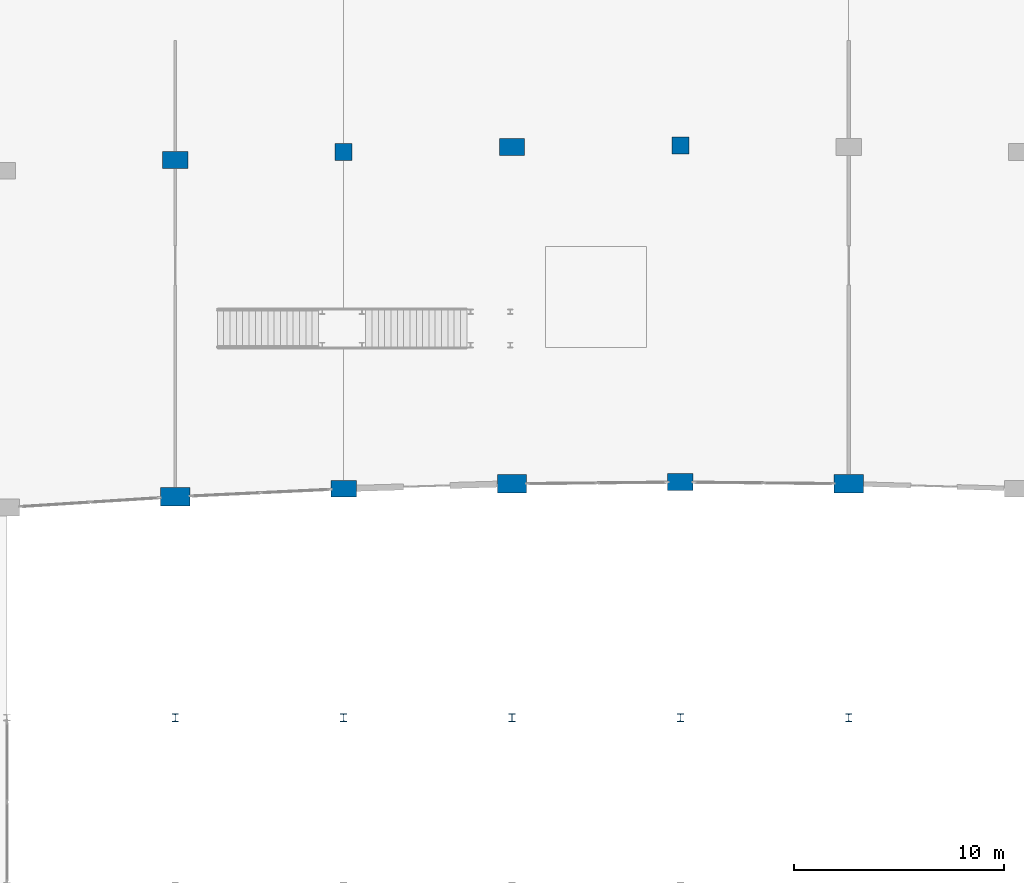
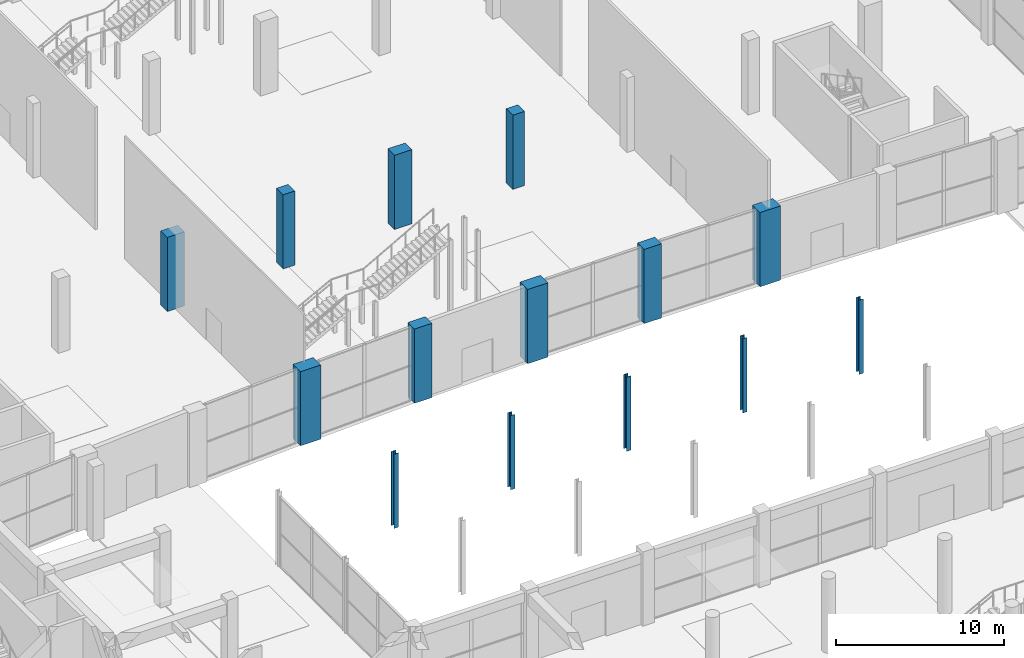
# One storey, part 12 of 86: 14 columns.
"""IFC4 building model written with IfcOpenShell, lengths in metres."""

from ifc_helpers import new_model, si_unit, direction, frame, origin, origin_2d, place, context, subcontext, project, spatial, rectangle, i_section, extrude, material, material_profile, profile_set, type_object, element, save


model = new_model("IFC4")

# Units and contexts
model_context = context("Model", 3, precision=1e-05, world=origin(), true_north=direction((0.0, 1.0)))
body_context = subcontext(model_context, "Body", "Model", "MODEL_VIEW")
ifc_project = project(units=[si_unit("LENGTHUNIT", "METRE"), si_unit("AREAUNIT", "SQUARE_METRE"), si_unit("VOLUMEUNIT", "CUBIC_METRE"), si_unit("PLANEANGLEUNIT", "RADIAN"), si_unit("MASSUNIT", "GRAM", prefix="KILO")], contexts=[model_context])

# Site, building, storey
site_placement = place(None, origin())
site = spatial("IfcSite", under=ifc_project, at=site_placement, CompositionType="ELEMENT")
building_placement = place(site_placement, origin())
building = spatial("IfcBuilding", under=site, at=building_placement, Name="Kenh Van Central Station", CompositionType="ELEMENT")
storey_placement = place(building_placement, origin())
storey = spatial("IfcBuildingStorey", under=building, at=storey_placement, Name="L00", CompositionType="ELEMENT", Elevation=0.0)

# Columns
ifc_material_1 = material(Name="Concrete C40/50", Category="concrete")
ifc_material_profile_1 = material_profile(ifc_material_1, rectangle(XDim=1.199951171875, YDim=0.800048828125, at=origin_2d()), Name="RC 1200x800")
ifc_profile_set_1 = profile_set([ifc_material_profile_1], Name="Concrete C40/50")
column_type_1 = type_object("IfcColumnType", Name="COL-PIER-1200x800", PredefinedType="COLUMN", material=ifc_profile_set_1)
for number, where, z_axis, x_axis, name in (
    (1, (64.0, 82.501953125, 0.0), (0.0, 0.0, 1.0), (1.0, 0.0, 0.0), "L00 column VP-04-1"),
    (2, (72.0, 66.883056640625, 0.0), (0.0, 0.0, 1.0), (1.0, 0.0, 0.0), "L00 column VPI-05-0"),
    (3, (80.0, 83.119873046875, 0.0), (0.0, 0.0, 1.0), (1.0, 0.0, 0.0), "L00 column VP-06-1"),
    (4, (88.0, 67.199951171875, 0.0), (0.0, 0.0, 1.0), (1.0, 0.0, 0.0), "L00 column VPI-07-0"),
):
    element("IfcColumn", number, at=place(storey_placement, frame(where, z_axis=z_axis, x_axis=x_axis)), inside=storey, type_object=column_type_1, Name=name, PredefinedType="COLUMN", context=body_context, shape_type="SweptSolid", body=[
        extrude(rectangle(XDim=1.199951171875, YDim=0.800048828125, at=origin_2d()), origin(), (0.0, 0.0, 1.0), 5.39990234375),
    ])
ifc_material_profile_2 = material_profile(ifc_material_1, rectangle(XDim=1.39990234375, YDim=0.89990234375, at=origin_2d()), Name="RC 1400x900")
ifc_profile_set_2 = profile_set([ifc_material_profile_2], Name="Concrete C40/50")
column_type_2 = type_object("IfcColumnType", Name="COL-PIER-1400x900", PredefinedType="COLUMN", material=ifc_profile_set_2)
for number, where, z_axis, x_axis, name in (
    (5, (64.0, 66.501953125, 0.0), (0.0, 0.0, 1.0), (1.0, 0.0, 0.0), "L00 column VP-04-0"),
    (6, (80.0, 67.119873046875, 0.0), (0.0, 0.0, 1.0), (1.0, 0.0, 0.0), "L00 column VP-06-0"),
    (7, (96.0, 67.119873046875, 0.0), (0.0, 0.0, 1.0), (1.0, 0.0, 0.0), "L00 column VP-08-0"),
):
    element("IfcColumn", number, at=place(storey_placement, frame(where, z_axis=z_axis, x_axis=x_axis)), inside=storey, type_object=column_type_2, Name=name, PredefinedType="COLUMN", context=body_context, shape_type="SweptSolid", body=[
        extrude(rectangle(XDim=1.39990234375, YDim=0.89990234375, at=origin_2d()), origin(), (0.0, 0.0, 1.0), 5.39990234375),
    ])
ifc_material_profile_3 = material_profile(ifc_material_1, rectangle(XDim=0.800048828125, YDim=0.800048828125, at=origin_2d()), Name="RC 800x800")
ifc_profile_set_3 = profile_set([ifc_material_profile_3], Name="Concrete C40/50")
column_type_3 = type_object("IfcColumnType", Name="COL-RC-800x800", PredefinedType="COLUMN", material=ifc_profile_set_3)
for number, where, z_axis, x_axis, name in (
    (8, (72.0, 82.883056640625, 0.0), (0.0, 0.0, 1.0), (1.0, 0.0, 0.0), "L00 column VP-05-1"),
    (9, (88.0, 83.199951171875, 0.0), (0.0, 0.0, 1.0), (1.0, 0.0, 0.0), "L00 column VP-07-1"),
):
    element("IfcColumn", number, at=place(storey_placement, frame(where, z_axis=z_axis, x_axis=x_axis)), inside=storey, type_object=column_type_3, Name=name, PredefinedType="COLUMN", context=body_context, shape_type="SweptSolid", body=[
        extrude(rectangle(XDim=0.800048828125, YDim=0.800048828125, at=origin_2d()), origin(), (0.0, 0.0, 1.0), 5.39990234375),
    ])
ifc_material_2 = material(Name="Steel S355", Category="steel")
ifc_material_profile_4 = material_profile(ifc_material_2, i_section(OverallWidth=0.300048828125, OverallDepth=0.360107421875, WebThickness=0.012451171875, FlangeThickness=0.0224609375, FilletRadius=0.027099609375, at=origin_2d()), Name="HEB 360")
ifc_profile_set_4 = profile_set([ifc_material_profile_4], Name="Steel S355")
column_type_4 = type_object("IfcColumnType", Name="COL-STL-HEB360", PredefinedType="COLUMN", material=ifc_profile_set_4)
for number, where, z_axis, x_axis, name in (
    (10, (64.0, 56.0, 0.0), (0.0, 0.0, 1.0), (1.0, 0.0, 0.0), "L00 column CB-064-056"),
    (11, (72.0, 56.0, 0.0), (0.0, 0.0, 1.0), (1.0, 0.0, 0.0), "L00 column CB-072-056"),
    (12, (80.0, 56.0, 0.0), (0.0, 0.0, 1.0), (1.0, 0.0, 0.0), "L00 column CB-080-056"),
    (13, (88.0, 56.0, 0.0), (0.0, 0.0, 1.0), (1.0, 0.0, 0.0), "L00 column CB-088-056"),
    (14, (96.0, 56.0, 0.0), (0.0, 0.0, 1.0), (1.0, 0.0, 0.0), "L00 column CB-096-056"),
):
    element("IfcColumn", number, at=place(storey_placement, frame(where, z_axis=z_axis, x_axis=x_axis)), inside=storey, type_object=column_type_4, Name=name, PredefinedType="COLUMN", context=body_context, shape_type="SweptSolid", body=[
        extrude(i_section(OverallWidth=0.300048828125, OverallDepth=0.360107421875, WebThickness=0.012451171875, FlangeThickness=0.0224609375, FilletRadius=0.027099609375, at=origin_2d()), origin(), (0.0, 0.0, 1.0), 5.39990234375),
    ])

save(model, "model.ifc")
